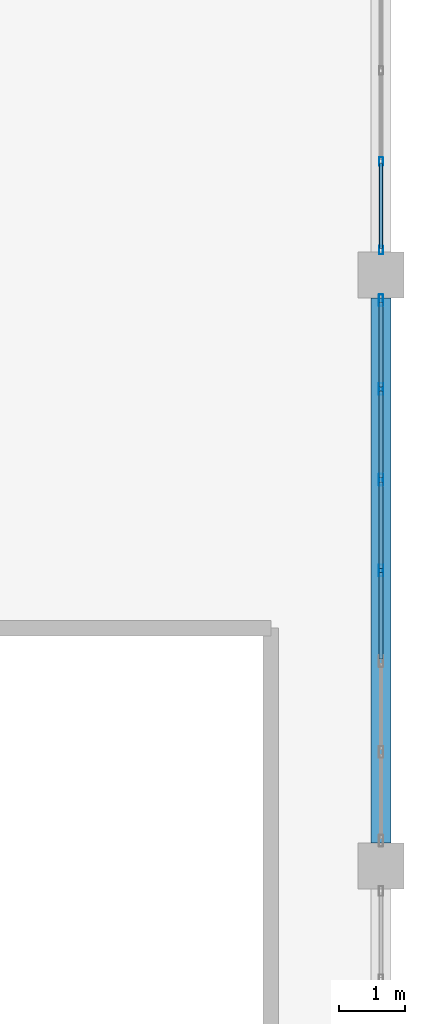
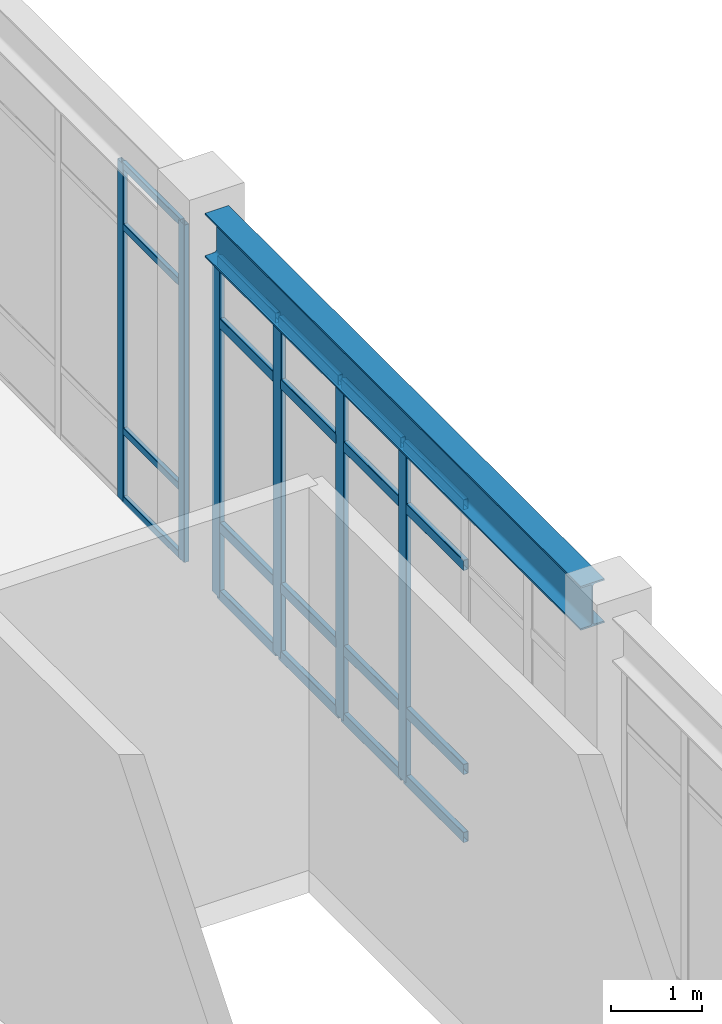
# One storey, part 50 of 80: 26 members, 1 beam, 2 elements without a shape of their own.
"""IFC4 building model written with IfcOpenShell, lengths in metres."""

from ifc_helpers import new_model, si_unit, direction, frame, origin, origin_2d, place, context, subcontext, project, spatial, hollow_rectangle, i_section, extrude, material, material_profile, profile_set, type_object, element, aggregate, save


model = new_model("IFC4")

# Units and contexts
model_context = context("Model", 3, precision=1e-05, world=origin(), true_north=direction((0.0, 1.0)))
body_context = subcontext(model_context, "Body", "Model", "MODEL_VIEW")
ifc_project = project(units=[si_unit("LENGTHUNIT", "METRE"), si_unit("AREAUNIT", "SQUARE_METRE"), si_unit("VOLUMEUNIT", "CUBIC_METRE"), si_unit("PLANEANGLEUNIT", "RADIAN"), si_unit("MASSUNIT", "GRAM", prefix="KILO")], contexts=[model_context])

# Site, building, storey
site_placement = place(None, origin())
site = spatial("IfcSite", under=ifc_project, at=site_placement, CompositionType="ELEMENT")
building_placement = place(site_placement, origin())
building = spatial("IfcBuilding", under=site, at=building_placement, Name="Canglan Escarpment Cableway Terminal", CompositionType="ELEMENT")
storey_placement = place(building_placement, frame((0.0, 0.0, 19.199951171875)))
storey = spatial("IfcBuildingStorey", under=building, at=storey_placement, Name="L04", CompositionType="ELEMENT", Elevation=19.199951171875)

# Beam
ifc_material_1 = material(Name="Steel Q355C", Category="steel")
ifc_material_profile_1 = material_profile(ifc_material_1, i_section(OverallWidth=0.302001953125, OverallDepth=0.593994140625, WebThickness=0.013916015625, FlangeThickness=0.02294921875, FilletRadius=0.028076171875, at=origin_2d()), Name="HM 594x302x14x23")
ifc_profile_set_1 = profile_set([ifc_material_profile_1], Name="Steel Q355C")
beam_type = type_object("IfcBeamType", Name="BM-HM594", PredefinedType="BEAM", material=ifc_profile_set_1)
beam_placement = place(storey_placement, frame((166.39990234375, 97.35009765625, 4.863037109375), z_axis=(0.0, 1.0, 0.0), x_axis=(-1.0, 0.0, 0.0)))
element("IfcBeam", 1, at=beam_placement, inside=storey, type_object=beam_type, Name="Primary transverse girder B-07", PredefinedType="BEAM", context=body_context, shape_type="SweptSolid", body=[
    extrude(i_section(OverallWidth=0.302001953125, OverallDepth=0.593994140625, WebThickness=0.013916015625, FlangeThickness=0.02294921875, FilletRadius=0.028076171875, at=origin_2d()), origin(), (0.0, 0.0, 1.0), 8.2998046875),
])

# Curtain wall, members
ifc_material_2 = material(Name="Anodized bronze aluminium and Low-E double glazing", Category="aluminium")
curtain_wall_type = type_object("IfcCurtainWallType", Name="CW-BAY-8300x4550", PredefinedType="NOTDEFINED", material=ifc_material_2)
curtain_wall_1_placement = place(storey_placement, origin())
curtain_wall_1 = element("IfcCurtainWall", 2, at=curtain_wall_1_placement, inside=storey, type_object=curtain_wall_type, Name="Classical bay-between-piers glazed curtain wall CW-64", PredefinedType="NOTDEFINED")
ifc_material_3 = material(Name="Thermally broken anodized aluminium 6063-T6", Category="aluminium")
ifc_material_profile_2 = material_profile(ifc_material_3, hollow_rectangle(XDim=0.06005859375, YDim=0.1298828125, WallThickness=0.0029296875, InnerFilletRadius=0.0029296875, OuterFilletRadius=0.006103515625, at=origin_2d()), Name="ALU-MULL 60x130x3")
ifc_profile_set_2 = profile_set([ifc_material_profile_2], Name="Thermally broken anodized aluminium 6063-T6")
member_type_1 = type_object("IfcMemberType", Name="CWM-01", PredefinedType="MULLION", material=ifc_profile_set_2)
member_1_placement = place(storey_placement, frame((166.39990234375, 106.3798828125, 0.0), z_axis=(0.0, 0.0, 1.0), x_axis=(-1.0, 0.0, 0.0)))
member_1 = element("IfcMember", 3, at=member_1_placement, type_object=member_type_1, Name="CW-64 mullion 1", PredefinedType="MULLION", context=body_context, shape_type="SweptSolid", body=[
    extrude(hollow_rectangle(XDim=0.06005859375, YDim=0.1298828125, WallThickness=0.0029296875, InnerFilletRadius=0.0029296875, OuterFilletRadius=0.006103515625, at=origin_2d()), origin(), (0.0, 0.0, 1.0), 4.551025390625),
])
member_2_placement = place(storey_placement, frame((166.39990234375, 107.7333984375, 0.0), z_axis=(0.0, 0.0, 1.0), x_axis=(-1.0, 0.0, 0.0)))
member_2 = element("IfcMember", 4, at=member_2_placement, type_object=member_type_1, Name="CW-64 mullion 2", PredefinedType="MULLION", context=body_context, shape_type="SweptSolid", body=[
    extrude(hollow_rectangle(XDim=0.06005859375, YDim=0.1298828125, WallThickness=0.0029296875, InnerFilletRadius=0.0029296875, OuterFilletRadius=0.006103515625, at=origin_2d()), origin(), (0.0, 0.0, 1.0), 4.551025390625),
])

curtain_wall_2_placement = place(storey_placement, origin())
curtain_wall_2 = element("IfcCurtainWall", 5, at=curtain_wall_2_placement, inside=storey, type_object=curtain_wall_type, Name="Classical bay-between-piers glazed curtain wall CW-64", PredefinedType="NOTDEFINED")
ifc_material_profile_3 = material_profile(ifc_material_3, hollow_rectangle(XDim=0.06494140625, YDim=0.179931640625, WallThickness=0.00390625, InnerFilletRadius=0.00390625, OuterFilletRadius=0.008056640625, at=origin_2d()), Name="ALU-MULL 65x180x4")
ifc_profile_set_3 = profile_set([ifc_material_profile_3], Name="Thermally broken anodized aluminium 6063-T6")
member_type_2 = type_object("IfcMemberType", Name="CWM-03", PredefinedType="MULLION", material=ifc_profile_set_3)
member_3_placement = place(storey_placement, frame((166.39990234375, 101.5, 0.0), z_axis=(0.0, 0.0, 1.0), x_axis=(-1.0, 0.0, 0.0)))
member_3 = element("IfcMember", 6, at=member_3_placement, type_object=member_type_2, Name="CW-64 mullion 4", PredefinedType="MULLION", context=body_context, shape_type="SweptSolid", body=[
    extrude(hollow_rectangle(XDim=0.06494140625, YDim=0.179931640625, WallThickness=0.00390625, InnerFilletRadius=0.00390625, OuterFilletRadius=0.008056640625, at=origin_2d()), origin(), (0.0, 0.0, 1.0), 4.551025390625),
])
member_4_placement = place(storey_placement, frame((166.39990234375, 102.88330078125, 0.0), z_axis=(0.0, 0.0, 1.0), x_axis=(-1.0, 0.0, 0.0)))
member_4 = element("IfcMember", 7, at=member_4_placement, type_object=member_type_2, Name="CW-64 mullion 5", PredefinedType="MULLION", context=body_context, shape_type="SweptSolid", body=[
    extrude(hollow_rectangle(XDim=0.06494140625, YDim=0.179931640625, WallThickness=0.00390625, InnerFilletRadius=0.00390625, OuterFilletRadius=0.008056640625, at=origin_2d()), origin(), (0.0, 0.0, 1.0), 4.551025390625),
])
member_5_placement = place(storey_placement, frame((166.39990234375, 104.2666015625, 0.0), z_axis=(0.0, 0.0, 1.0), x_axis=(-1.0, 0.0, 0.0)))
member_5 = element("IfcMember", 8, at=member_5_placement, type_object=member_type_2, Name="CW-64 mullion 6", PredefinedType="MULLION", context=body_context, shape_type="SweptSolid", body=[
    extrude(hollow_rectangle(XDim=0.06494140625, YDim=0.179931640625, WallThickness=0.00390625, InnerFilletRadius=0.00390625, OuterFilletRadius=0.008056640625, at=origin_2d()), origin(), (0.0, 0.0, 1.0), 4.551025390625),
])
member_6_placement = place(storey_placement, frame((166.39990234375, 105.617431640625, 0.0), z_axis=(0.0, 0.0, 1.0), x_axis=(-1.0, 0.0, 0.0)))
member_6 = element("IfcMember", 9, at=member_6_placement, type_object=member_type_2, Name="CW-64 mullion 7", PredefinedType="MULLION", context=body_context, shape_type="SweptSolid", body=[
    extrude(hollow_rectangle(XDim=0.06494140625, YDim=0.179931640625, WallThickness=0.00390625, InnerFilletRadius=0.00390625, OuterFilletRadius=0.008056640625, at=origin_2d()), origin(), (0.0, 0.0, 1.0), 4.551025390625),
])

# Member
ifc_material_profile_4 = material_profile(ifc_material_3, hollow_rectangle(XDim=0.054931640625, YDim=0.094970703125, WallThickness=0.0029296875, InnerFilletRadius=0.0029296875, OuterFilletRadius=0.006103515625, at=origin_2d()), Name="ALU-TRAN 55x95x3")
ifc_profile_set_4 = profile_set([ifc_material_profile_4], Name="Thermally broken anodized aluminium 6063-T6")
member_type_3 = type_object("IfcMemberType", Name="CWT-01", PredefinedType="USERDEFINED", material=ifc_profile_set_4)
member_7_placement = place(storey_placement, frame((166.39990234375, 106.409912109375, 0.027587890625), z_axis=(0.0, 1.0, 0.0), x_axis=(-1.0, 0.0, 0.0)))
member_7 = element("IfcMember", 10, at=member_7_placement, type_object=member_type_3, Name="CW-64 transom 1.1", ObjectType="TRANSOM", PredefinedType="USERDEFINED", context=body_context, shape_type="SweptSolid", body=[
    extrude(hollow_rectangle(XDim=0.054931640625, YDim=0.094970703125, WallThickness=0.0029296875, InnerFilletRadius=0.0029296875, OuterFilletRadius=0.006103515625, at=origin_2d()), origin(), (0.0, 0.0, 1.0), 1.29345703125),
])

member_8_placement = place(storey_placement, frame((166.39990234375, 106.409912109375, 0.949951171875), z_axis=(0.0, 1.0, 0.0), x_axis=(-1.0, 0.0, 0.0)))
member_8 = element("IfcMember", 11, at=member_8_placement, type_object=member_type_3, Name="CW-64 transom 1.2", ObjectType="TRANSOM", PredefinedType="USERDEFINED", context=body_context, shape_type="SweptSolid", body=[
    extrude(hollow_rectangle(XDim=0.054931640625, YDim=0.094970703125, WallThickness=0.0029296875, InnerFilletRadius=0.0029296875, OuterFilletRadius=0.006103515625, at=origin_2d()), origin(), (0.0, 0.0, 1.0), 1.29345703125),
])

member_9_placement = place(storey_placement, frame((166.39990234375, 106.409912109375, 3.700927734375), z_axis=(0.0, 1.0, 0.0), x_axis=(-1.0, 0.0, 0.0)))
member_9 = element("IfcMember", 12, at=member_9_placement, type_object=member_type_3, Name="CW-64 transom 1.3", ObjectType="TRANSOM", PredefinedType="USERDEFINED", context=body_context, shape_type="SweptSolid", body=[
    extrude(hollow_rectangle(XDim=0.054931640625, YDim=0.094970703125, WallThickness=0.0029296875, InnerFilletRadius=0.0029296875, OuterFilletRadius=0.006103515625, at=origin_2d()), origin(), (0.0, 0.0, 1.0), 1.29345703125),
])

member_10_placement = place(storey_placement, frame((166.39990234375, 106.409912109375, 4.5234375), z_axis=(0.0, 1.0, 0.0), x_axis=(-1.0, 0.0, 0.0)))
member_10 = element("IfcMember", 13, at=member_10_placement, type_object=member_type_3, Name="CW-64 transom 1.4", ObjectType="TRANSOM", PredefinedType="USERDEFINED", context=body_context, shape_type="SweptSolid", body=[
    extrude(hollow_rectangle(XDim=0.054931640625, YDim=0.094970703125, WallThickness=0.0029296875, InnerFilletRadius=0.0029296875, OuterFilletRadius=0.006103515625, at=origin_2d()), origin(), (0.0, 0.0, 1.0), 1.29345703125),
])

aggregate(curtain_wall_1, [member_1, member_2, member_7, member_8, member_9, member_10])

ifc_material_profile_5 = material_profile(ifc_material_3, hollow_rectangle(XDim=0.06494140625, YDim=0.139892578125, WallThickness=0.00341796875, InnerFilletRadius=0.00341796875, OuterFilletRadius=0.007080078125, at=origin_2d()), Name="ALU-TRAN 65x140x3.5")
ifc_profile_set_5 = profile_set([ifc_material_profile_5], Name="Thermally broken anodized aluminium 6063-T6")
member_type_4 = type_object("IfcMemberType", Name="CWT-03", PredefinedType="USERDEFINED", material=ifc_profile_set_5)
member_11_placement = place(storey_placement, frame((166.39990234375, 100.149169921875, 0.032470703125), z_axis=(0.0, 1.0, 0.0), x_axis=(-1.0, 0.0, 0.0)))
member_11 = element("IfcMember", 14, at=member_11_placement, type_object=member_type_4, Name="CW-64 transom 3.1", ObjectType="TRANSOM", PredefinedType="USERDEFINED", context=body_context, shape_type="SweptSolid", body=[
    extrude(hollow_rectangle(XDim=0.06494140625, YDim=0.139892578125, WallThickness=0.00341796875, InnerFilletRadius=0.00341796875, OuterFilletRadius=0.007080078125, at=origin_2d()), origin(), (0.0, 0.0, 1.0), 1.318359375),
])

member_12_placement = place(storey_placement, frame((166.39990234375, 100.149169921875, 0.949951171875), z_axis=(0.0, 1.0, 0.0), x_axis=(-1.0, 0.0, 0.0)))
member_12 = element("IfcMember", 15, at=member_12_placement, type_object=member_type_4, Name="CW-64 transom 3.2", ObjectType="TRANSOM", PredefinedType="USERDEFINED", context=body_context, shape_type="SweptSolid", body=[
    extrude(hollow_rectangle(XDim=0.06494140625, YDim=0.139892578125, WallThickness=0.00341796875, InnerFilletRadius=0.00341796875, OuterFilletRadius=0.007080078125, at=origin_2d()), origin(), (0.0, 0.0, 1.0), 1.318359375),
])

member_13_placement = place(storey_placement, frame((166.39990234375, 100.149169921875, 3.700927734375), z_axis=(0.0, 1.0, 0.0), x_axis=(-1.0, 0.0, 0.0)))
member_13 = element("IfcMember", 16, at=member_13_placement, type_object=member_type_4, Name="CW-64 transom 3.3", ObjectType="TRANSOM", PredefinedType="USERDEFINED", context=body_context, shape_type="SweptSolid", body=[
    extrude(hollow_rectangle(XDim=0.06494140625, YDim=0.139892578125, WallThickness=0.00341796875, InnerFilletRadius=0.00341796875, OuterFilletRadius=0.007080078125, at=origin_2d()), origin(), (0.0, 0.0, 1.0), 1.318359375),
])

member_14_placement = place(storey_placement, frame((166.39990234375, 100.149169921875, 4.5185546875), z_axis=(0.0, 1.0, 0.0), x_axis=(-1.0, 0.0, 0.0)))
member_14 = element("IfcMember", 17, at=member_14_placement, type_object=member_type_4, Name="CW-64 transom 3.4", ObjectType="TRANSOM", PredefinedType="USERDEFINED", context=body_context, shape_type="SweptSolid", body=[
    extrude(hollow_rectangle(XDim=0.06494140625, YDim=0.139892578125, WallThickness=0.00341796875, InnerFilletRadius=0.00341796875, OuterFilletRadius=0.007080078125, at=origin_2d()), origin(), (0.0, 0.0, 1.0), 1.318359375),
])

member_15_placement = place(storey_placement, frame((166.39990234375, 101.532470703125, 0.032470703125), z_axis=(0.0, 1.0, 0.0), x_axis=(-1.0, 0.0, 0.0)))
member_15 = element("IfcMember", 18, at=member_15_placement, type_object=member_type_4, Name="CW-64 transom 4.1", ObjectType="TRANSOM", PredefinedType="USERDEFINED", context=body_context, shape_type="SweptSolid", body=[
    extrude(hollow_rectangle(XDim=0.06494140625, YDim=0.139892578125, WallThickness=0.00341796875, InnerFilletRadius=0.00341796875, OuterFilletRadius=0.007080078125, at=origin_2d()), origin(), (0.0, 0.0, 1.0), 1.318359375),
])

member_16_placement = place(storey_placement, frame((166.39990234375, 101.532470703125, 0.949951171875), z_axis=(0.0, 1.0, 0.0), x_axis=(-1.0, 0.0, 0.0)))
member_16 = element("IfcMember", 19, at=member_16_placement, type_object=member_type_4, Name="CW-64 transom 4.2", ObjectType="TRANSOM", PredefinedType="USERDEFINED", context=body_context, shape_type="SweptSolid", body=[
    extrude(hollow_rectangle(XDim=0.06494140625, YDim=0.139892578125, WallThickness=0.00341796875, InnerFilletRadius=0.00341796875, OuterFilletRadius=0.007080078125, at=origin_2d()), origin(), (0.0, 0.0, 1.0), 1.318359375),
])

member_17_placement = place(storey_placement, frame((166.39990234375, 101.532470703125, 3.700927734375), z_axis=(0.0, 1.0, 0.0), x_axis=(-1.0, 0.0, 0.0)))
member_17 = element("IfcMember", 20, at=member_17_placement, type_object=member_type_4, Name="CW-64 transom 4.3", ObjectType="TRANSOM", PredefinedType="USERDEFINED", context=body_context, shape_type="SweptSolid", body=[
    extrude(hollow_rectangle(XDim=0.06494140625, YDim=0.139892578125, WallThickness=0.00341796875, InnerFilletRadius=0.00341796875, OuterFilletRadius=0.007080078125, at=origin_2d()), origin(), (0.0, 0.0, 1.0), 1.318359375),
])

member_18_placement = place(storey_placement, frame((166.39990234375, 101.532470703125, 4.5185546875), z_axis=(0.0, 1.0, 0.0), x_axis=(-1.0, 0.0, 0.0)))
member_18 = element("IfcMember", 21, at=member_18_placement, type_object=member_type_4, Name="CW-64 transom 4.4", ObjectType="TRANSOM", PredefinedType="USERDEFINED", context=body_context, shape_type="SweptSolid", body=[
    extrude(hollow_rectangle(XDim=0.06494140625, YDim=0.139892578125, WallThickness=0.00341796875, InnerFilletRadius=0.00341796875, OuterFilletRadius=0.007080078125, at=origin_2d()), origin(), (0.0, 0.0, 1.0), 1.318359375),
])

member_19_placement = place(storey_placement, frame((166.39990234375, 102.915771484375, 0.032470703125), z_axis=(0.0, 1.0, 0.0), x_axis=(-1.0, 0.0, 0.0)))
member_19 = element("IfcMember", 22, at=member_19_placement, type_object=member_type_4, Name="CW-64 transom 5.1", ObjectType="TRANSOM", PredefinedType="USERDEFINED", context=body_context, shape_type="SweptSolid", body=[
    extrude(hollow_rectangle(XDim=0.06494140625, YDim=0.139892578125, WallThickness=0.00341796875, InnerFilletRadius=0.00341796875, OuterFilletRadius=0.007080078125, at=origin_2d()), origin(), (0.0, 0.0, 1.0), 1.318359375),
])

member_20_placement = place(storey_placement, frame((166.39990234375, 102.915771484375, 0.949951171875), z_axis=(0.0, 1.0, 0.0), x_axis=(-1.0, 0.0, 0.0)))
member_20 = element("IfcMember", 23, at=member_20_placement, type_object=member_type_4, Name="CW-64 transom 5.2", ObjectType="TRANSOM", PredefinedType="USERDEFINED", context=body_context, shape_type="SweptSolid", body=[
    extrude(hollow_rectangle(XDim=0.06494140625, YDim=0.139892578125, WallThickness=0.00341796875, InnerFilletRadius=0.00341796875, OuterFilletRadius=0.007080078125, at=origin_2d()), origin(), (0.0, 0.0, 1.0), 1.318359375),
])

member_21_placement = place(storey_placement, frame((166.39990234375, 102.915771484375, 3.700927734375), z_axis=(0.0, 1.0, 0.0), x_axis=(-1.0, 0.0, 0.0)))
member_21 = element("IfcMember", 24, at=member_21_placement, type_object=member_type_4, Name="CW-64 transom 5.3", ObjectType="TRANSOM", PredefinedType="USERDEFINED", context=body_context, shape_type="SweptSolid", body=[
    extrude(hollow_rectangle(XDim=0.06494140625, YDim=0.139892578125, WallThickness=0.00341796875, InnerFilletRadius=0.00341796875, OuterFilletRadius=0.007080078125, at=origin_2d()), origin(), (0.0, 0.0, 1.0), 1.318359375),
])

member_22_placement = place(storey_placement, frame((166.39990234375, 102.915771484375, 4.5185546875), z_axis=(0.0, 1.0, 0.0), x_axis=(-1.0, 0.0, 0.0)))
member_22 = element("IfcMember", 25, at=member_22_placement, type_object=member_type_4, Name="CW-64 transom 5.4", ObjectType="TRANSOM", PredefinedType="USERDEFINED", context=body_context, shape_type="SweptSolid", body=[
    extrude(hollow_rectangle(XDim=0.06494140625, YDim=0.139892578125, WallThickness=0.00341796875, InnerFilletRadius=0.00341796875, OuterFilletRadius=0.007080078125, at=origin_2d()), origin(), (0.0, 0.0, 1.0), 1.318359375),
])

member_23_placement = place(storey_placement, frame((166.39990234375, 104.299072265625, 0.032470703125), z_axis=(0.0, 1.0, 0.0), x_axis=(-1.0, 0.0, 0.0)))
member_23 = element("IfcMember", 26, at=member_23_placement, type_object=member_type_4, Name="CW-64 transom 6.1", ObjectType="TRANSOM", PredefinedType="USERDEFINED", context=body_context, shape_type="SweptSolid", body=[
    extrude(hollow_rectangle(XDim=0.06494140625, YDim=0.139892578125, WallThickness=0.00341796875, InnerFilletRadius=0.00341796875, OuterFilletRadius=0.007080078125, at=origin_2d()), origin(), (0.0, 0.0, 1.0), 1.285888671875),
])

member_24_placement = place(storey_placement, frame((166.39990234375, 104.299072265625, 0.949951171875), z_axis=(0.0, 1.0, 0.0), x_axis=(-1.0, 0.0, 0.0)))
member_24 = element("IfcMember", 27, at=member_24_placement, type_object=member_type_4, Name="CW-64 transom 6.2", ObjectType="TRANSOM", PredefinedType="USERDEFINED", context=body_context, shape_type="SweptSolid", body=[
    extrude(hollow_rectangle(XDim=0.06494140625, YDim=0.139892578125, WallThickness=0.00341796875, InnerFilletRadius=0.00341796875, OuterFilletRadius=0.007080078125, at=origin_2d()), origin(), (0.0, 0.0, 1.0), 1.285888671875),
])

member_25_placement = place(storey_placement, frame((166.39990234375, 104.299072265625, 3.700927734375), z_axis=(0.0, 1.0, 0.0), x_axis=(-1.0, 0.0, 0.0)))
member_25 = element("IfcMember", 28, at=member_25_placement, type_object=member_type_4, Name="CW-64 transom 6.3", ObjectType="TRANSOM", PredefinedType="USERDEFINED", context=body_context, shape_type="SweptSolid", body=[
    extrude(hollow_rectangle(XDim=0.06494140625, YDim=0.139892578125, WallThickness=0.00341796875, InnerFilletRadius=0.00341796875, OuterFilletRadius=0.007080078125, at=origin_2d()), origin(), (0.0, 0.0, 1.0), 1.285888671875),
])

member_26_placement = place(storey_placement, frame((166.39990234375, 104.299072265625, 4.5185546875), z_axis=(0.0, 1.0, 0.0), x_axis=(-1.0, 0.0, 0.0)))
member_26 = element("IfcMember", 29, at=member_26_placement, type_object=member_type_4, Name="CW-64 transom 6.4", ObjectType="TRANSOM", PredefinedType="USERDEFINED", context=body_context, shape_type="SweptSolid", body=[
    extrude(hollow_rectangle(XDim=0.06494140625, YDim=0.139892578125, WallThickness=0.00341796875, InnerFilletRadius=0.00341796875, OuterFilletRadius=0.007080078125, at=origin_2d()), origin(), (0.0, 0.0, 1.0), 1.285888671875),
])

aggregate(curtain_wall_2, [member_3, member_4, member_5, member_6, member_11, member_12, member_13, member_14, member_15, member_16, member_17, member_18, member_19, member_20, member_21, member_22, member_23, member_24, member_25, member_26])

save(model, "model.ifc")
